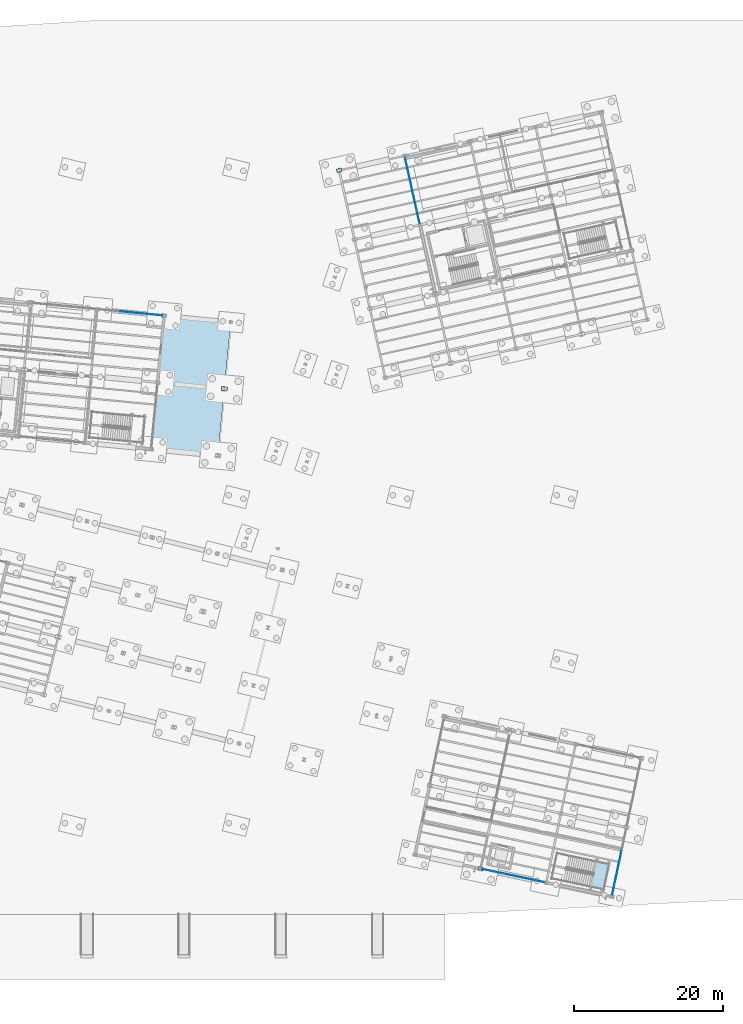
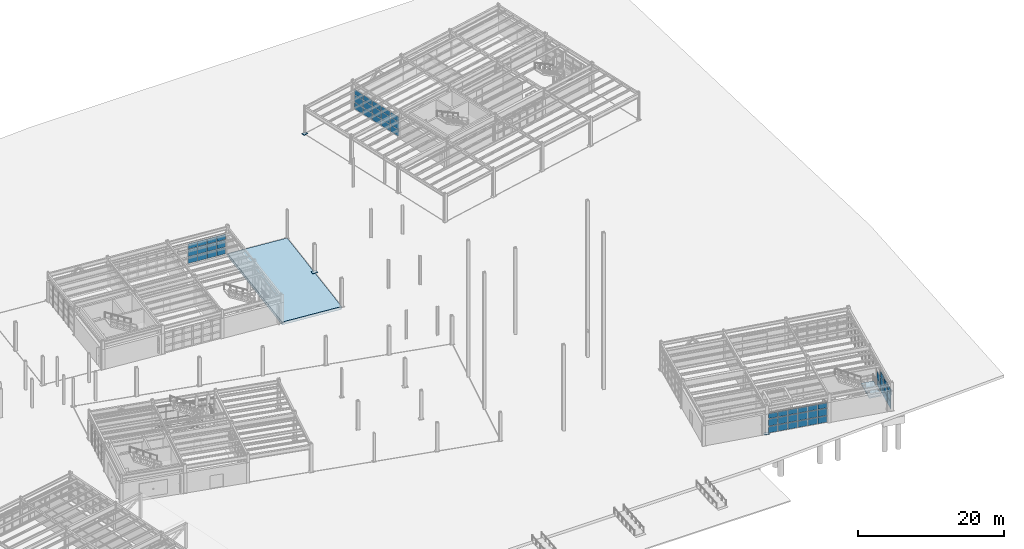
# One storey, part 67 of 108: 59 plates, 2 slabs, 5 elements without a shape of their own.
"""IFC4 building model written with IfcOpenShell, lengths in metres."""

from ifc_helpers import new_model, si_unit, direction, frame, origin, origin_2d, place, context, subcontext, project, spatial, polyline, rectangle, outline, extrude, material, layer, layer_set, type_object, element, aggregate, save


model = new_model("IFC4")

# Units and contexts
model_context = context("Model", 3, precision=1e-05, world=origin(), true_north=direction((0.0, 1.0)))
body_context = subcontext(model_context, "Body", "Model", "MODEL_VIEW")
ifc_project = project(units=[si_unit("LENGTHUNIT", "METRE"), si_unit("AREAUNIT", "SQUARE_METRE"), si_unit("VOLUMEUNIT", "CUBIC_METRE"), si_unit("PLANEANGLEUNIT", "RADIAN"), si_unit("MASSUNIT", "GRAM", prefix="KILO")], contexts=[model_context])

# Site, building, storey
site_placement = place(None, origin())
site = spatial("IfcSite", under=ifc_project, at=site_placement, CompositionType="ELEMENT")
building_placement = place(site_placement, origin())
building = spatial("IfcBuilding", under=site, at=building_placement, Name="Vireo Bluff Cable Station", CompositionType="ELEMENT")
storey_placement = place(building_placement, origin())
storey = spatial("IfcBuildingStorey", under=building, at=storey_placement, Name="L00", CompositionType="ELEMENT", Elevation=0.0)

# Plates
ifc_material_1 = material(Name="Steel ASTM A572 Gr. 50", Category="steel")
ifc_layer_1 = layer(ifc_material_1, 0.0419921875, Name="Steel ASTM A572 Gr. 50")
ifc_layer_set_1 = layer_set([ifc_layer_1], Name="Steel ASTM A572 Gr. 50")
plate_type_1 = type_object("IfcPlateType", Name="BASEPLATE-680X500X42", PredefinedType="SHEET", material=ifc_layer_set_1)
plate_1_placement = place(storey_placement, frame((119.83154296875, 101.824462890625, 0.0), z_axis=(0.0, 0.0, 1.0), x_axis=(0.97629600712, 0.216439613938, 0.0)))
element("IfcPlate", 1, at=plate_1_placement, inside=storey, type_object=plate_type_1, Name="V2 column baseplate 69", PredefinedType="SHEET", context=body_context, shape_type="SweptSolid", body=[
    extrude(rectangle(XDim=0.679931640625, YDim=0.5, at=origin_2d()), origin(), (0.0, 0.0, 1.0), 0.0419921875),
])
ifc_layer_2 = layer(ifc_material_1, 0.0439453125, Name="Steel ASTM A572 Gr. 50")
ifc_layer_set_2 = layer_set([ifc_layer_2], Name="Steel ASTM A572 Gr. 50")
plate_type_2 = type_object("IfcPlateType", Name="BASEPLATE-700X510X44", PredefinedType="SHEET", material=ifc_layer_set_2)
plate_2_placement = place(storey_placement, frame((138.80322265625, 8.12890625, 0.0), z_axis=(0.0, 0.0, 1.0), x_axis=(0.978147600734, -0.207911690818, 0.0)))
element("IfcPlate", 2, at=plate_2_placement, inside=storey, type_object=plate_type_2, Name="V5E column baseplate 269", PredefinedType="SHEET", context=body_context, shape_type="SweptSolid", body=[
    extrude(rectangle(XDim=0.699951171875, YDim=0.510009765625, at=origin_2d()), origin(), (0.0, 0.0, 1.0), 0.0439453125),
])
ifc_layer_3 = layer(ifc_material_1, 0.050048828125, Name="Steel ASTM A572 Gr. 50")
ifc_layer_set_3 = layer_set([ifc_layer_3], Name="Steel ASTM A572 Gr. 50")
plate_type_3 = type_object("IfcPlateType", Name="BASEPLATE-780X580X50", PredefinedType="SHEET", material=ifc_layer_set_3)
plate_3_placement = place(storey_placement, frame((104.43505859375, 72.511962890625, 0.0), z_axis=(0.0, 0.0, 1.0), x_axis=(0.995396198367, -0.09584575252, 0.0)))
element("IfcPlate", 3, at=plate_3_placement, inside=storey, type_object=plate_type_3, Name="V3 column baseplate 135", PredefinedType="SHEET", context=body_context, shape_type="SweptSolid", body=[
    extrude(rectangle(XDim=0.780029296875, YDim=0.580078125, at=origin_2d()), origin(), (0.0, 0.0, 1.0), 0.050048828125),
])

# Curtain wall, plates
ifc_material_2 = material(Name="Anodized Aluminium 6063-T6", Category="aluminium")
ifc_layer_4 = layer(ifc_material_2, 0.159912109375, Name="Anodized Aluminium 6063-T6")
ifc_layer_set_4 = layer_set([ifc_layer_4], Name="Anodized Aluminium 6063-T6")
curtain_wall_type_1 = type_object("IfcCurtainWallType", Name="CW-STICK-1750", PredefinedType="USERDEFINED", material=ifc_layer_set_4)
curtain_wall_1_placement = place(storey_placement, origin())
curtain_wall_1 = element("IfcCurtainWall", 4, at=curtain_wall_1_placement, inside=storey, type_object=curtain_wall_type_1, Name="V2 L00 west curtain wall CW-040", ObjectType="STICK CURTAIN WALL", PredefinedType="USERDEFINED")
ifc_material_3 = material(Name="Laminated Low-E Insulated Glass", Category="glass")
ifc_layer_5 = layer(ifc_material_3, 0.028076171875, Name="Laminated Low-E Insulated Glass")
ifc_layer_set_5 = layer_set([ifc_layer_5], Name="Laminated Low-E Insulated Glass")
plate_type_4 = type_object("IfcPlateType", Name="CWP-28-1", PredefinedType="CURTAIN_PANEL", material=ifc_layer_set_5)
plate_4_placement = place(storey_placement, frame((130.439208984375, 95.558349609375, 0.06494140625), z_axis=(0.0, 0.0, 1.0), x_axis=(-0.216439539714, 0.976296023575, 0.0)))
plate_4 = element("IfcPlate", 5, at=plate_4_placement, type_object=plate_type_4, Name="CW-040 panel 1.1", PredefinedType="CURTAIN_PANEL", context=body_context, shape_type="SweptSolid", body=[
    extrude(rectangle(XDim=1.72900390625, YDim=0.028076171875, at=origin_2d()), origin(), (0.0, 0.0, 1.0), 1.092529296875),
])
plate_5_placement = place(storey_placement, frame((130.439208984375, 95.558349609375, 1.22265625), z_axis=(0.0, 0.0, 1.0), x_axis=(-0.216439539714, 0.976296023575, 0.0)))
plate_5 = element("IfcPlate", 6, at=plate_5_placement, type_object=plate_type_4, Name="CW-040 panel 1.2", PredefinedType="CURTAIN_PANEL", context=body_context, shape_type="SweptSolid", body=[
    extrude(rectangle(XDim=1.72900390625, YDim=0.028076171875, at=origin_2d()), origin(), (0.0, 0.0, 1.0), 1.193115234375),
])
plate_6_placement = place(storey_placement, frame((130.439208984375, 95.558349609375, 2.48046875), z_axis=(0.0, 0.0, 1.0), x_axis=(-0.216439539714, 0.976296023575, 0.0)))
plate_6 = element("IfcPlate", 7, at=plate_6_placement, type_object=plate_type_4, Name="CW-040 panel 1.3", PredefinedType="CURTAIN_PANEL", context=body_context, shape_type="SweptSolid", body=[
    extrude(rectangle(XDim=1.72900390625, YDim=0.028076171875, at=origin_2d()), origin(), (0.0, 0.0, 1.0), 0.8544921875),
])
plate_7_placement = place(storey_placement, frame((130.04736328125, 97.32568359375, 0.06494140625), z_axis=(0.0, 0.0, 1.0), x_axis=(-0.216439539714, 0.976296023575, 0.0)))
plate_7 = element("IfcPlate", 8, at=plate_7_placement, type_object=plate_type_4, Name="CW-040 panel 2.1", PredefinedType="CURTAIN_PANEL", context=body_context, shape_type="SweptSolid", body=[
    extrude(rectangle(XDim=1.761474609375, YDim=0.028076171875, at=origin_2d()), origin(), (0.0, 0.0, 1.0), 1.092529296875),
])
plate_8_placement = place(storey_placement, frame((130.04736328125, 97.32568359375, 1.22265625), z_axis=(0.0, 0.0, 1.0), x_axis=(-0.216439539714, 0.976296023575, 0.0)))
plate_8 = element("IfcPlate", 9, at=plate_8_placement, type_object=plate_type_4, Name="CW-040 panel 2.2", PredefinedType="CURTAIN_PANEL", context=body_context, shape_type="SweptSolid", body=[
    extrude(rectangle(XDim=1.761474609375, YDim=0.028076171875, at=origin_2d()), origin(), (0.0, 0.0, 1.0), 1.193115234375),
])
plate_9_placement = place(storey_placement, frame((130.04736328125, 97.32568359375, 2.48046875), z_axis=(0.0, 0.0, 1.0), x_axis=(-0.216439539714, 0.976296023575, 0.0)))
plate_9 = element("IfcPlate", 10, at=plate_9_placement, type_object=plate_type_4, Name="CW-040 panel 2.3", PredefinedType="CURTAIN_PANEL", context=body_context, shape_type="SweptSolid", body=[
    extrude(rectangle(XDim=1.761474609375, YDim=0.028076171875, at=origin_2d()), origin(), (0.0, 0.0, 1.0), 0.8544921875),
])
plate_10_placement = place(storey_placement, frame((129.652099609375, 99.10888671875, 0.06494140625), z_axis=(0.0, 0.0, 1.0), x_axis=(-0.216439539714, 0.976296023575, 0.0)))
plate_10 = element("IfcPlate", 11, at=plate_10_placement, type_object=plate_type_4, Name="CW-040 panel 3.1", PredefinedType="CURTAIN_PANEL", context=body_context, shape_type="SweptSolid", body=[
    extrude(rectangle(XDim=1.761474609375, YDim=0.028076171875, at=origin_2d()), origin(), (0.0, 0.0, 1.0), 1.092529296875),
])
plate_11_placement = place(storey_placement, frame((129.652099609375, 99.10888671875, 1.22265625), z_axis=(0.0, 0.0, 1.0), x_axis=(-0.216439539714, 0.976296023575, 0.0)))
plate_11 = element("IfcPlate", 12, at=plate_11_placement, type_object=plate_type_4, Name="CW-040 panel 3.2", PredefinedType="CURTAIN_PANEL", context=body_context, shape_type="SweptSolid", body=[
    extrude(rectangle(XDim=1.761474609375, YDim=0.028076171875, at=origin_2d()), origin(), (0.0, 0.0, 1.0), 1.193115234375),
])
plate_12_placement = place(storey_placement, frame((129.652099609375, 99.10888671875, 2.48046875), z_axis=(0.0, 0.0, 1.0), x_axis=(-0.216439539714, 0.976296023575, 0.0)))
plate_12 = element("IfcPlate", 13, at=plate_12_placement, type_object=plate_type_4, Name="CW-040 panel 3.3", PredefinedType="CURTAIN_PANEL", context=body_context, shape_type="SweptSolid", body=[
    extrude(rectangle(XDim=1.761474609375, YDim=0.028076171875, at=origin_2d()), origin(), (0.0, 0.0, 1.0), 0.8544921875),
])
plate_13_placement = place(storey_placement, frame((129.256591796875, 100.89208984375, 0.06494140625), z_axis=(0.0, 0.0, 1.0), x_axis=(-0.216439539714, 0.976296023575, 0.0)))
plate_13 = element("IfcPlate", 14, at=plate_13_placement, type_object=plate_type_4, Name="CW-040 panel 4.1", PredefinedType="CURTAIN_PANEL", context=body_context, shape_type="SweptSolid", body=[
    extrude(rectangle(XDim=1.761474609375, YDim=0.028076171875, at=origin_2d()), origin(), (0.0, 0.0, 1.0), 1.092529296875),
])
plate_14_placement = place(storey_placement, frame((129.256591796875, 100.89208984375, 1.22265625), z_axis=(0.0, 0.0, 1.0), x_axis=(-0.216439539714, 0.976296023575, 0.0)))
plate_14 = element("IfcPlate", 15, at=plate_14_placement, type_object=plate_type_4, Name="CW-040 panel 4.2", PredefinedType="CURTAIN_PANEL", context=body_context, shape_type="SweptSolid", body=[
    extrude(rectangle(XDim=1.761474609375, YDim=0.028076171875, at=origin_2d()), origin(), (0.0, 0.0, 1.0), 1.193115234375),
])
plate_15_placement = place(storey_placement, frame((129.256591796875, 100.89208984375, 2.48046875), z_axis=(0.0, 0.0, 1.0), x_axis=(-0.216439539714, 0.976296023575, 0.0)))
plate_15 = element("IfcPlate", 16, at=plate_15_placement, type_object=plate_type_4, Name="CW-040 panel 4.3", PredefinedType="CURTAIN_PANEL", context=body_context, shape_type="SweptSolid", body=[
    extrude(rectangle(XDim=1.761474609375, YDim=0.028076171875, at=origin_2d()), origin(), (0.0, 0.0, 1.0), 0.8544921875),
])
plate_16_placement = place(storey_placement, frame((128.864990234375, 102.659423828125, 0.06494140625), z_axis=(0.0, 0.0, 1.0), x_axis=(-0.216439539714, 0.976296023575, 0.0)))
plate_16 = element("IfcPlate", 17, at=plate_16_placement, type_object=plate_type_4, Name="CW-040 panel 5.1", PredefinedType="CURTAIN_PANEL", context=body_context, shape_type="SweptSolid", body=[
    extrude(rectangle(XDim=1.72900390625, YDim=0.028076171875, at=origin_2d()), origin(), (0.0, 0.0, 1.0), 1.092529296875),
])
plate_17_placement = place(storey_placement, frame((128.864990234375, 102.659423828125, 1.22265625), z_axis=(0.0, 0.0, 1.0), x_axis=(-0.216439539714, 0.976296023575, 0.0)))
plate_17 = element("IfcPlate", 18, at=plate_17_placement, type_object=plate_type_4, Name="CW-040 panel 5.2", PredefinedType="CURTAIN_PANEL", context=body_context, shape_type="SweptSolid", body=[
    extrude(rectangle(XDim=1.72900390625, YDim=0.028076171875, at=origin_2d()), origin(), (0.0, 0.0, 1.0), 1.193115234375),
])
plate_18_placement = place(storey_placement, frame((128.864990234375, 102.659423828125, 2.48046875), z_axis=(0.0, 0.0, 1.0), x_axis=(-0.216439539714, 0.976296023575, 0.0)))
plate_18 = element("IfcPlate", 19, at=plate_18_placement, type_object=plate_type_4, Name="CW-040 panel 5.3", PredefinedType="CURTAIN_PANEL", context=body_context, shape_type="SweptSolid", body=[
    extrude(rectangle(XDim=1.72900390625, YDim=0.028076171875, at=origin_2d()), origin(), (0.0, 0.0, 1.0), 0.8544921875),
])
aggregate(curtain_wall_1, [plate_4, plate_5, plate_6, plate_7, plate_8, plate_9, plate_10, plate_11, plate_12, plate_13, plate_14, plate_15, plate_16, plate_17, plate_18])

ifc_layer_6 = layer(ifc_material_2, 0.179931640625, Name="Anodized Aluminium 6063-T6")
ifc_layer_set_6 = layer_set([ifc_layer_6], Name="Anodized Aluminium 6063-T6")
curtain_wall_type_2 = type_object("IfcCurtainWallType", Name="CW-UNIT-1500", PredefinedType="USERDEFINED", material=ifc_layer_set_6)
curtain_wall_2_placement = place(storey_placement, origin())
curtain_wall_2 = element("IfcCurtainWall", 20, at=curtain_wall_2_placement, inside=storey, type_object=curtain_wall_type_2, Name="V3 L00 north curtain wall CW-070", ObjectType="UNITISED CURTAIN WALL", PredefinedType="USERDEFINED")
plate_19_placement = place(storey_placement, frame((91.145751953125, 82.833251953125, 0.06005859375), z_axis=(0.0, 0.0, 1.0), x_axis=(0.995396205524, -0.095845678199, 0.0)))
plate_19 = element("IfcPlate", 21, at=plate_19_placement, type_object=plate_type_4, Name="CW-070 panel 3.1", PredefinedType="CURTAIN_PANEL", context=body_context, shape_type="SweptSolid", body=[
    extrude(rectangle(XDim=1.3720703125, YDim=0.028076171875, at=origin_2d()), origin(), (0.0, 0.0, 1.0), 1.10009765625),
])
plate_20_placement = place(storey_placement, frame((91.145751953125, 82.833251953125, 1.22021484375), z_axis=(0.0, 0.0, 1.0), x_axis=(0.995396205524, -0.095845678199, 0.0)))
plate_20 = element("IfcPlate", 22, at=plate_20_placement, type_object=plate_type_4, Name="CW-070 panel 3.2", PredefinedType="CURTAIN_PANEL", context=body_context, shape_type="SweptSolid", body=[
    extrude(rectangle(XDim=1.3720703125, YDim=0.028076171875, at=origin_2d()), origin(), (0.0, 0.0, 1.0), 1.197998046875),
])
plate_21_placement = place(storey_placement, frame((91.145751953125, 82.833251953125, 2.47802734375), z_axis=(0.0, 0.0, 1.0), x_axis=(0.995396205524, -0.095845678199, 0.0)))
plate_21 = element("IfcPlate", 23, at=plate_21_placement, type_object=plate_type_4, Name="CW-070 panel 3.3", PredefinedType="CURTAIN_PANEL", context=body_context, shape_type="SweptSolid", body=[
    extrude(rectangle(XDim=1.3720703125, YDim=0.028076171875, at=origin_2d()), origin(), (0.0, 0.0, 1.0), 0.862060546875),
])
plate_22_placement = place(storey_placement, frame((92.5712890625, 82.696044921875, 0.06005859375), z_axis=(0.0, 0.0, 1.0), x_axis=(0.995396205524, -0.095845678199, 0.0)))
plate_22 = element("IfcPlate", 24, at=plate_22_placement, type_object=plate_type_4, Name="CW-070 panel 4.1", PredefinedType="CURTAIN_PANEL", context=body_context, shape_type="SweptSolid", body=[
    extrude(rectangle(XDim=1.3720703125, YDim=0.028076171875, at=origin_2d()), origin(), (0.0, 0.0, 1.0), 1.10009765625),
])
plate_23_placement = place(storey_placement, frame((92.5712890625, 82.696044921875, 1.22021484375), z_axis=(0.0, 0.0, 1.0), x_axis=(0.995396205524, -0.095845678199, 0.0)))
plate_23 = element("IfcPlate", 25, at=plate_23_placement, type_object=plate_type_4, Name="CW-070 panel 4.2", PredefinedType="CURTAIN_PANEL", context=body_context, shape_type="SweptSolid", body=[
    extrude(rectangle(XDim=1.3720703125, YDim=0.028076171875, at=origin_2d()), origin(), (0.0, 0.0, 1.0), 1.197998046875),
])
plate_24_placement = place(storey_placement, frame((92.5712890625, 82.696044921875, 2.47802734375), z_axis=(0.0, 0.0, 1.0), x_axis=(0.995396205524, -0.095845678199, 0.0)))
plate_24 = element("IfcPlate", 26, at=plate_24_placement, type_object=plate_type_4, Name="CW-070 panel 4.3", PredefinedType="CURTAIN_PANEL", context=body_context, shape_type="SweptSolid", body=[
    extrude(rectangle(XDim=1.3720703125, YDim=0.028076171875, at=origin_2d()), origin(), (0.0, 0.0, 1.0), 0.862060546875),
])
plate_25_placement = place(storey_placement, frame((93.996826171875, 82.55859375, 0.06005859375), z_axis=(0.0, 0.0, 1.0), x_axis=(0.995396205524, -0.095845678199, 0.0)))
plate_25 = element("IfcPlate", 27, at=plate_25_placement, type_object=plate_type_4, Name="CW-070 panel 5.1", PredefinedType="CURTAIN_PANEL", context=body_context, shape_type="SweptSolid", body=[
    extrude(rectangle(XDim=1.3720703125, YDim=0.028076171875, at=origin_2d()), origin(), (0.0, 0.0, 1.0), 1.10009765625),
])
plate_26_placement = place(storey_placement, frame((93.996826171875, 82.55859375, 1.22021484375), z_axis=(0.0, 0.0, 1.0), x_axis=(0.995396205524, -0.095845678199, 0.0)))
plate_26 = element("IfcPlate", 28, at=plate_26_placement, type_object=plate_type_4, Name="CW-070 panel 5.2", PredefinedType="CURTAIN_PANEL", context=body_context, shape_type="SweptSolid", body=[
    extrude(rectangle(XDim=1.3720703125, YDim=0.028076171875, at=origin_2d()), origin(), (0.0, 0.0, 1.0), 1.197998046875),
])
plate_27_placement = place(storey_placement, frame((93.996826171875, 82.55859375, 2.47802734375), z_axis=(0.0, 0.0, 1.0), x_axis=(0.995396205524, -0.095845678199, 0.0)))
plate_27 = element("IfcPlate", 29, at=plate_27_placement, type_object=plate_type_4, Name="CW-070 panel 5.3", PredefinedType="CURTAIN_PANEL", context=body_context, shape_type="SweptSolid", body=[
    extrude(rectangle(XDim=1.3720703125, YDim=0.028076171875, at=origin_2d()), origin(), (0.0, 0.0, 1.0), 0.862060546875),
])
plate_28_placement = place(storey_placement, frame((95.4072265625, 82.4228515625, 0.06005859375), z_axis=(0.0, 0.0, 1.0), x_axis=(0.995396205524, -0.095845678199, 0.0)))
plate_28 = element("IfcPlate", 30, at=plate_28_placement, type_object=plate_type_4, Name="CW-070 panel 6.1", PredefinedType="CURTAIN_PANEL", context=body_context, shape_type="SweptSolid", body=[
    extrude(rectangle(XDim=1.342041015625, YDim=0.028076171875, at=origin_2d()), origin(), (0.0, 0.0, 1.0), 1.10009765625),
])
plate_29_placement = place(storey_placement, frame((95.4072265625, 82.4228515625, 1.22021484375), z_axis=(0.0, 0.0, 1.0), x_axis=(0.995396205524, -0.095845678199, 0.0)))
plate_29 = element("IfcPlate", 31, at=plate_29_placement, type_object=plate_type_4, Name="CW-070 panel 6.2", PredefinedType="CURTAIN_PANEL", context=body_context, shape_type="SweptSolid", body=[
    extrude(rectangle(XDim=1.342041015625, YDim=0.028076171875, at=origin_2d()), origin(), (0.0, 0.0, 1.0), 1.197998046875),
])
plate_30_placement = place(storey_placement, frame((95.4072265625, 82.4228515625, 2.47802734375), z_axis=(0.0, 0.0, 1.0), x_axis=(0.995396205524, -0.095845678199, 0.0)))
plate_30 = element("IfcPlate", 32, at=plate_30_placement, type_object=plate_type_4, Name="CW-070 panel 6.3", PredefinedType="CURTAIN_PANEL", context=body_context, shape_type="SweptSolid", body=[
    extrude(rectangle(XDim=1.342041015625, YDim=0.028076171875, at=origin_2d()), origin(), (0.0, 0.0, 1.0), 0.862060546875),
])
aggregate(curtain_wall_2, [plate_19, plate_20, plate_21, plate_22, plate_23, plate_24, plate_25, plate_26, plate_27, plate_28, plate_29, plate_30])

curtain_wall_3_placement = place(storey_placement, origin())
curtain_wall_3 = element("IfcCurtainWall", 33, at=curtain_wall_3_placement, inside=storey, type_object=curtain_wall_type_2, Name="V5E L00 south curtain wall CW-130", ObjectType="UNITISED CURTAIN WALL", PredefinedType="USERDEFINED")
plate_31_placement = place(storey_placement, frame((146.693359375, 6.45166015625, 0.06005859375), z_axis=(0.0, 0.0, 1.0), x_axis=(-0.978147602193, 0.207911683955, 0.0)))
plate_31 = element("IfcPlate", 34, at=plate_31_placement, type_object=plate_type_4, Name="CW-130 panel 1.1", PredefinedType="CURTAIN_PANEL", context=body_context, shape_type="SweptSolid", body=[
    extrude(rectangle(XDim=1.342529296875, YDim=0.028076171875, at=origin_2d()), origin(), (0.0, 0.0, 1.0), 1.10009765625),
])
plate_32_placement = place(storey_placement, frame((146.693359375, 6.45166015625, 1.22021484375), z_axis=(0.0, 0.0, 1.0), x_axis=(-0.978147602193, 0.207911683955, 0.0)))
plate_32 = element("IfcPlate", 35, at=plate_32_placement, type_object=plate_type_4, Name="CW-130 panel 1.2", PredefinedType="CURTAIN_PANEL", context=body_context, shape_type="SweptSolid", body=[
    extrude(rectangle(XDim=1.342529296875, YDim=0.028076171875, at=origin_2d()), origin(), (0.0, 0.0, 1.0), 1.197998046875),
])
plate_33_placement = place(storey_placement, frame((146.693359375, 6.45166015625, 2.47802734375), z_axis=(0.0, 0.0, 1.0), x_axis=(-0.978147602193, 0.207911683955, 0.0)))
plate_33 = element("IfcPlate", 36, at=plate_33_placement, type_object=plate_type_4, Name="CW-130 panel 1.3", PredefinedType="CURTAIN_PANEL", context=body_context, shape_type="SweptSolid", body=[
    extrude(rectangle(XDim=1.342529296875, YDim=0.028076171875, at=origin_2d()), origin(), (0.0, 0.0, 1.0), 0.862060546875),
])
plate_34_placement = place(storey_placement, frame((145.306884765625, 6.746337890625, 0.06005859375), z_axis=(0.0, 0.0, 1.0), x_axis=(-0.978147602193, 0.207911683955, 0.0)))
plate_34 = element("IfcPlate", 37, at=plate_34_placement, type_object=plate_type_4, Name="CW-130 panel 2.1", PredefinedType="CURTAIN_PANEL", context=body_context, shape_type="SweptSolid", body=[
    extrude(rectangle(XDim=1.37255859375, YDim=0.028076171875, at=origin_2d()), origin(), (0.0, 0.0, 1.0), 1.10009765625),
])
plate_35_placement = place(storey_placement, frame((145.306884765625, 6.746337890625, 1.22021484375), z_axis=(0.0, 0.0, 1.0), x_axis=(-0.978147602193, 0.207911683955, 0.0)))
plate_35 = element("IfcPlate", 38, at=plate_35_placement, type_object=plate_type_4, Name="CW-130 panel 2.2", PredefinedType="CURTAIN_PANEL", context=body_context, shape_type="SweptSolid", body=[
    extrude(rectangle(XDim=1.37255859375, YDim=0.028076171875, at=origin_2d()), origin(), (0.0, 0.0, 1.0), 1.197998046875),
])
plate_36_placement = place(storey_placement, frame((145.306884765625, 6.746337890625, 2.47802734375), z_axis=(0.0, 0.0, 1.0), x_axis=(-0.978147602193, 0.207911683955, 0.0)))
plate_36 = element("IfcPlate", 39, at=plate_36_placement, type_object=plate_type_4, Name="CW-130 panel 2.3", PredefinedType="CURTAIN_PANEL", context=body_context, shape_type="SweptSolid", body=[
    extrude(rectangle(XDim=1.37255859375, YDim=0.028076171875, at=origin_2d()), origin(), (0.0, 0.0, 1.0), 0.862060546875),
])
plate_37_placement = place(storey_placement, frame((143.905517578125, 7.044189453125, 0.06005859375), z_axis=(0.0, 0.0, 1.0), x_axis=(-0.978147602193, 0.207911683955, 0.0)))
plate_37 = element("IfcPlate", 40, at=plate_37_placement, type_object=plate_type_4, Name="CW-130 panel 3.1", PredefinedType="CURTAIN_PANEL", context=body_context, shape_type="SweptSolid", body=[
    extrude(rectangle(XDim=1.37255859375, YDim=0.028076171875, at=origin_2d()), origin(), (0.0, 0.0, 1.0), 1.10009765625),
])
plate_38_placement = place(storey_placement, frame((143.905517578125, 7.044189453125, 1.22021484375), z_axis=(0.0, 0.0, 1.0), x_axis=(-0.978147602193, 0.207911683955, 0.0)))
plate_38 = element("IfcPlate", 41, at=plate_38_placement, type_object=plate_type_4, Name="CW-130 panel 3.2", PredefinedType="CURTAIN_PANEL", context=body_context, shape_type="SweptSolid", body=[
    extrude(rectangle(XDim=1.37255859375, YDim=0.028076171875, at=origin_2d()), origin(), (0.0, 0.0, 1.0), 1.197998046875),
])
plate_39_placement = place(storey_placement, frame((143.905517578125, 7.044189453125, 2.47802734375), z_axis=(0.0, 0.0, 1.0), x_axis=(-0.978147602193, 0.207911683955, 0.0)))
plate_39 = element("IfcPlate", 42, at=plate_39_placement, type_object=plate_type_4, Name="CW-130 panel 3.3", PredefinedType="CURTAIN_PANEL", context=body_context, shape_type="SweptSolid", body=[
    extrude(rectangle(XDim=1.37255859375, YDim=0.028076171875, at=origin_2d()), origin(), (0.0, 0.0, 1.0), 0.862060546875),
])
plate_40_placement = place(storey_placement, frame((142.50439453125, 7.342041015625, 0.06005859375), z_axis=(0.0, 0.0, 1.0), x_axis=(-0.978147602193, 0.207911683955, 0.0)))
plate_40 = element("IfcPlate", 43, at=plate_40_placement, type_object=plate_type_4, Name="CW-130 panel 4.1", PredefinedType="CURTAIN_PANEL", context=body_context, shape_type="SweptSolid", body=[
    extrude(rectangle(XDim=1.37255859375, YDim=0.028076171875, at=origin_2d()), origin(), (0.0, 0.0, 1.0), 1.10009765625),
])
plate_41_placement = place(storey_placement, frame((142.50439453125, 7.342041015625, 1.22021484375), z_axis=(0.0, 0.0, 1.0), x_axis=(-0.978147602193, 0.207911683955, 0.0)))
plate_41 = element("IfcPlate", 44, at=plate_41_placement, type_object=plate_type_4, Name="CW-130 panel 4.2", PredefinedType="CURTAIN_PANEL", context=body_context, shape_type="SweptSolid", body=[
    extrude(rectangle(XDim=1.37255859375, YDim=0.028076171875, at=origin_2d()), origin(), (0.0, 0.0, 1.0), 1.197998046875),
])
plate_42_placement = place(storey_placement, frame((142.50439453125, 7.342041015625, 2.47802734375), z_axis=(0.0, 0.0, 1.0), x_axis=(-0.978147602193, 0.207911683955, 0.0)))
plate_42 = element("IfcPlate", 45, at=plate_42_placement, type_object=plate_type_4, Name="CW-130 panel 4.3", PredefinedType="CURTAIN_PANEL", context=body_context, shape_type="SweptSolid", body=[
    extrude(rectangle(XDim=1.37255859375, YDim=0.028076171875, at=origin_2d()), origin(), (0.0, 0.0, 1.0), 0.862060546875),
])
plate_43_placement = place(storey_placement, frame((141.103271484375, 7.639892578125, 0.06005859375), z_axis=(0.0, 0.0, 1.0), x_axis=(-0.978147602193, 0.207911683955, 0.0)))
plate_43 = element("IfcPlate", 46, at=plate_43_placement, type_object=plate_type_4, Name="CW-130 panel 5.1", PredefinedType="CURTAIN_PANEL", context=body_context, shape_type="SweptSolid", body=[
    extrude(rectangle(XDim=1.37255859375, YDim=0.028076171875, at=origin_2d()), origin(), (0.0, 0.0, 1.0), 1.10009765625),
])
plate_44_placement = place(storey_placement, frame((141.103271484375, 7.639892578125, 1.22021484375), z_axis=(0.0, 0.0, 1.0), x_axis=(-0.978147602193, 0.207911683955, 0.0)))
plate_44 = element("IfcPlate", 47, at=plate_44_placement, type_object=plate_type_4, Name="CW-130 panel 5.2", PredefinedType="CURTAIN_PANEL", context=body_context, shape_type="SweptSolid", body=[
    extrude(rectangle(XDim=1.37255859375, YDim=0.028076171875, at=origin_2d()), origin(), (0.0, 0.0, 1.0), 1.197998046875),
])
plate_45_placement = place(storey_placement, frame((141.103271484375, 7.639892578125, 2.47802734375), z_axis=(0.0, 0.0, 1.0), x_axis=(-0.978147602193, 0.207911683955, 0.0)))
plate_45 = element("IfcPlate", 48, at=plate_45_placement, type_object=plate_type_4, Name="CW-130 panel 5.3", PredefinedType="CURTAIN_PANEL", context=body_context, shape_type="SweptSolid", body=[
    extrude(rectangle(XDim=1.37255859375, YDim=0.028076171875, at=origin_2d()), origin(), (0.0, 0.0, 1.0), 0.862060546875),
])
plate_46_placement = place(storey_placement, frame((139.716552734375, 7.9345703125, 0.06005859375), z_axis=(0.0, 0.0, 1.0), x_axis=(-0.978147602193, 0.207911683955, 0.0)))
plate_46 = element("IfcPlate", 49, at=plate_46_placement, type_object=plate_type_4, Name="CW-130 panel 6.1", PredefinedType="CURTAIN_PANEL", context=body_context, shape_type="SweptSolid", body=[
    extrude(rectangle(XDim=1.342529296875, YDim=0.028076171875, at=origin_2d()), origin(), (0.0, 0.0, 1.0), 1.10009765625),
])
plate_47_placement = place(storey_placement, frame((139.716552734375, 7.9345703125, 1.22021484375), z_axis=(0.0, 0.0, 1.0), x_axis=(-0.978147602193, 0.207911683955, 0.0)))
plate_47 = element("IfcPlate", 50, at=plate_47_placement, type_object=plate_type_4, Name="CW-130 panel 6.2", PredefinedType="CURTAIN_PANEL", context=body_context, shape_type="SweptSolid", body=[
    extrude(rectangle(XDim=1.342529296875, YDim=0.028076171875, at=origin_2d()), origin(), (0.0, 0.0, 1.0), 1.197998046875),
])
plate_48_placement = place(storey_placement, frame((139.716552734375, 7.9345703125, 2.47802734375), z_axis=(0.0, 0.0, 1.0), x_axis=(-0.978147602193, 0.207911683955, 0.0)))
plate_48 = element("IfcPlate", 51, at=plate_48_placement, type_object=plate_type_4, Name="CW-130 panel 6.3", PredefinedType="CURTAIN_PANEL", context=body_context, shape_type="SweptSolid", body=[
    extrude(rectangle(XDim=1.342529296875, YDim=0.028076171875, at=origin_2d()), origin(), (0.0, 0.0, 1.0), 0.862060546875),
])
aggregate(curtain_wall_3, [plate_31, plate_32, plate_33, plate_34, plate_35, plate_36, plate_37, plate_38, plate_39, plate_40, plate_41, plate_42, plate_43, plate_44, plate_45, plate_46, plate_47, plate_48])

ifc_layer_7 = layer(ifc_material_2, 0.179931640625, Name="Anodized Aluminium 6063-T6")
ifc_layer_set_7 = layer_set([ifc_layer_7], Name="Anodized Aluminium 6063-T6")
curtain_wall_type_3 = type_object("IfcCurtainWallType", Name="CW-UNIT-1650", PredefinedType="USERDEFINED", material=ifc_layer_set_7)
curtain_wall_4_placement = place(storey_placement, origin())
curtain_wall_4 = element("IfcCurtainWall", 52, at=curtain_wall_4_placement, inside=storey, type_object=curtain_wall_type_3, Name="V5E L00 east curtain wall CW-134", ObjectType="UNITISED CURTAIN WALL", PredefinedType="USERDEFINED")
ifc_material_4 = material(Name="Insulated Spandrel Glass Panel", Category="glass")
ifc_layer_8 = layer(ifc_material_4, 0.048095703125, Name="Insulated Spandrel Glass Panel")
ifc_layer_set_8 = layer_set([ifc_layer_8], Name="Insulated Spandrel Glass Panel")
plate_type_5 = type_object("IfcPlateType", Name="CWP-48-5", PredefinedType="CURTAIN_PANEL", material=ifc_layer_set_8)
plate_49_placement = place(storey_placement, frame((157.56396484375, 9.81494140625, 0.06005859375), z_axis=(0.0, 0.0, 1.0), x_axis=(-0.207911766122, -0.978147584727, 0.0)))
plate_49 = element("IfcPlate", 53, at=plate_49_placement, type_object=plate_type_5, Name="CW-134 panel 3.1", PredefinedType="CURTAIN_PANEL", context=body_context, shape_type="SweptSolid", body=[
    extrude(rectangle(XDim=1.468017578125, YDim=0.048095703125, at=origin_2d()), origin(), (0.0, 0.0, 1.0), 1.10009765625),
])
plate_50_placement = place(storey_placement, frame((157.56396484375, 9.81494140625, 1.22021484375), z_axis=(0.0, 0.0, 1.0), x_axis=(-0.207911766122, -0.978147584727, 0.0)))
plate_50 = element("IfcPlate", 54, at=plate_50_placement, type_object=plate_type_5, Name="CW-134 panel 3.2", PredefinedType="CURTAIN_PANEL", context=body_context, shape_type="SweptSolid", body=[
    extrude(rectangle(XDim=1.468017578125, YDim=0.048095703125, at=origin_2d()), origin(), (0.0, 0.0, 1.0), 1.197998046875),
])
plate_51_placement = place(storey_placement, frame((157.24609375, 8.3203125, 0.06005859375), z_axis=(0.0, 0.0, 1.0), x_axis=(-0.207911766122, -0.978147584727, 0.0)))
plate_51 = element("IfcPlate", 55, at=plate_51_placement, type_object=plate_type_5, Name="CW-134 panel 4.1", PredefinedType="CURTAIN_PANEL", context=body_context, shape_type="SweptSolid", body=[
    extrude(rectangle(XDim=1.468017578125, YDim=0.048095703125, at=origin_2d()), origin(), (0.0, 0.0, 1.0), 1.10009765625),
])
plate_52_placement = place(storey_placement, frame((157.24609375, 8.3203125, 1.22021484375), z_axis=(0.0, 0.0, 1.0), x_axis=(-0.207911766122, -0.978147584727, 0.0)))
plate_52 = element("IfcPlate", 56, at=plate_52_placement, type_object=plate_type_5, Name="CW-134 panel 4.2", PredefinedType="CURTAIN_PANEL", context=body_context, shape_type="SweptSolid", body=[
    extrude(rectangle(XDim=1.468017578125, YDim=0.048095703125, at=origin_2d()), origin(), (0.0, 0.0, 1.0), 1.197998046875),
])
plate_53_placement = place(storey_placement, frame((157.24609375, 8.3203125, 2.47802734375), z_axis=(0.0, 0.0, 1.0), x_axis=(-0.207911766122, -0.978147584727, 0.0)))
plate_53 = element("IfcPlate", 57, at=plate_53_placement, type_object=plate_type_5, Name="CW-134 panel 4.3", PredefinedType="CURTAIN_PANEL", context=body_context, shape_type="SweptSolid", body=[
    extrude(rectangle(XDim=1.468017578125, YDim=0.048095703125, at=origin_2d()), origin(), (0.0, 0.0, 1.0), 0.862060546875),
])
plate_54_placement = place(storey_placement, frame((156.928466796875, 6.825439453125, 0.06005859375), z_axis=(0.0, 0.0, 1.0), x_axis=(-0.207911766122, -0.978147584727, 0.0)))
plate_54 = element("IfcPlate", 58, at=plate_54_placement, type_object=plate_type_5, Name="CW-134 panel 5.1", PredefinedType="CURTAIN_PANEL", context=body_context, shape_type="SweptSolid", body=[
    extrude(rectangle(XDim=1.468017578125, YDim=0.048095703125, at=origin_2d()), origin(), (0.0, 0.0, 1.0), 1.10009765625),
])
plate_55_placement = place(storey_placement, frame((156.928466796875, 6.825439453125, 1.22021484375), z_axis=(0.0, 0.0, 1.0), x_axis=(-0.207911766122, -0.978147584727, 0.0)))
plate_55 = element("IfcPlate", 59, at=plate_55_placement, type_object=plate_type_5, Name="CW-134 panel 5.2", PredefinedType="CURTAIN_PANEL", context=body_context, shape_type="SweptSolid", body=[
    extrude(rectangle(XDim=1.468017578125, YDim=0.048095703125, at=origin_2d()), origin(), (0.0, 0.0, 1.0), 1.197998046875),
])
plate_56_placement = place(storey_placement, frame((156.928466796875, 6.825439453125, 2.47802734375), z_axis=(0.0, 0.0, 1.0), x_axis=(-0.207911766122, -0.978147584727, 0.0)))
plate_56 = element("IfcPlate", 60, at=plate_56_placement, type_object=plate_type_5, Name="CW-134 panel 5.3", PredefinedType="CURTAIN_PANEL", context=body_context, shape_type="SweptSolid", body=[
    extrude(rectangle(XDim=1.468017578125, YDim=0.048095703125, at=origin_2d()), origin(), (0.0, 0.0, 1.0), 0.862060546875),
])
plate_57_placement = place(storey_placement, frame((156.61376953125, 5.345458984375, 0.06005859375), z_axis=(0.0, 0.0, 1.0), x_axis=(-0.207911766122, -0.978147584727, 0.0)))
plate_57 = element("IfcPlate", 61, at=plate_57_placement, type_object=plate_type_5, Name="CW-134 panel 6.1", PredefinedType="CURTAIN_PANEL", context=body_context, shape_type="SweptSolid", body=[
    extrude(rectangle(XDim=1.43798828125, YDim=0.048095703125, at=origin_2d()), origin(), (0.0, 0.0, 1.0), 1.10009765625),
])
plate_58_placement = place(storey_placement, frame((156.61376953125, 5.345458984375, 1.22021484375), z_axis=(0.0, 0.0, 1.0), x_axis=(-0.207911766122, -0.978147584727, 0.0)))
plate_58 = element("IfcPlate", 62, at=plate_58_placement, type_object=plate_type_5, Name="CW-134 panel 6.2", PredefinedType="CURTAIN_PANEL", context=body_context, shape_type="SweptSolid", body=[
    extrude(rectangle(XDim=1.43798828125, YDim=0.048095703125, at=origin_2d()), origin(), (0.0, 0.0, 1.0), 1.197998046875),
])
plate_59_placement = place(storey_placement, frame((156.61376953125, 5.345458984375, 2.47802734375), z_axis=(0.0, 0.0, 1.0), x_axis=(-0.207911766122, -0.978147584727, 0.0)))
plate_59 = element("IfcPlate", 63, at=plate_59_placement, type_object=plate_type_5, Name="CW-134 panel 6.3", PredefinedType="CURTAIN_PANEL", context=body_context, shape_type="SweptSolid", body=[
    extrude(rectangle(XDim=1.43798828125, YDim=0.048095703125, at=origin_2d()), origin(), (0.0, 0.0, 1.0), 0.862060546875),
])
aggregate(curtain_wall_4, [plate_49, plate_50, plate_51, plate_52, plate_53, plate_54, plate_55, plate_56, plate_57, plate_58, plate_59])

# Slab
ifc_material_5 = material(Name="Concrete f'c 40 MPa", Category="concrete")
ifc_layer_9 = layer(ifc_material_5, 0.47998046875, Name="Concrete f'c 40 MPa")
ifc_layer_set_9 = layer_set([ifc_layer_9], Name="Concrete f'c 40 MPa")
slab_type_1 = type_object("IfcSlabType", Name="GSL-EXT-480", PredefinedType="BASESLAB", material=ifc_layer_set_9)
slab_1_placement = place(storey_placement, frame((0.0, 0.0, -0.47998046875)))
element("IfcSlab", 64, at=slab_1_placement, inside=storey, type_object=slab_type_1, Name="V3 L00 covered plinth deck 2", PredefinedType="BASESLAB", context=body_context, shape_type="SweptSolid", body=[
    extrude(outline(polyline([(105.297607421875, 81.470458984375), (103.572265625, 63.553466796875), (94.6435546875, 64.4130859375), (96.368896484375, 82.330322265625), (105.297607421875, 81.470458984375)])), origin(), (0.0, 0.0, 1.0), 0.47998046875),
])

# Stair, slab
stair_type = type_object("IfcStairType", Name="STAIR-HT-1680", PredefinedType="HALF_TURN_STAIR", material=ifc_material_5)
stair_placement = place(storey_placement, origin())
stair = element("IfcStair", 65, at=stair_placement, inside=storey, type_object=stair_type, Name="L00 Feature Concourse Stair ST-06", PredefinedType="HALF_TURN_STAIR")
ifc_layer_10 = layer(ifc_material_5, 0.199951171875, Name="Concrete f'c 40 MPa")
ifc_layer_set_10 = layer_set([ifc_layer_10], Name="Concrete f'c 40 MPa")
slab_type_2 = type_object("IfcSlabType", Name="LANDING-200", PredefinedType="LANDING", material=ifc_layer_set_10)
slab_2_placement = place(storey_placement, frame((0.0, 0.0, 2.199951171875)))
slab_2 = element("IfcSlab", 66, at=slab_2_placement, type_object=slab_type_2, Name="ST-06 landing 1", PredefinedType="LANDING", context=body_context, shape_type="SweptSolid", body=[
    extrude(outline(polyline([(153.60986328125, 5.64599609375), (155.371337890625, 5.271728515625), (156.111572265625, 8.75390625), (154.35009765625, 9.128173828125), (153.60986328125, 5.64599609375)])), origin(), (0.0, 0.0, 1.0), 0.199951171875),
])
aggregate(stair, [slab_2])

save(model, "model.ifc")
